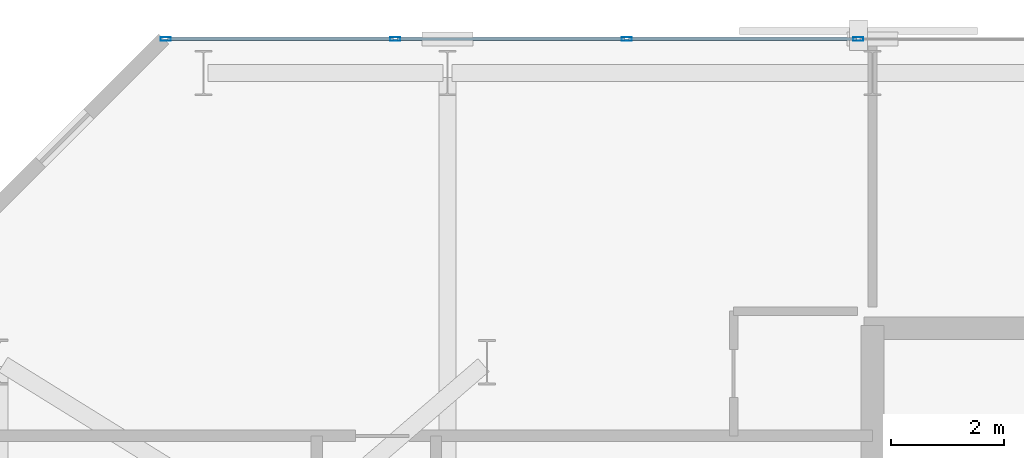
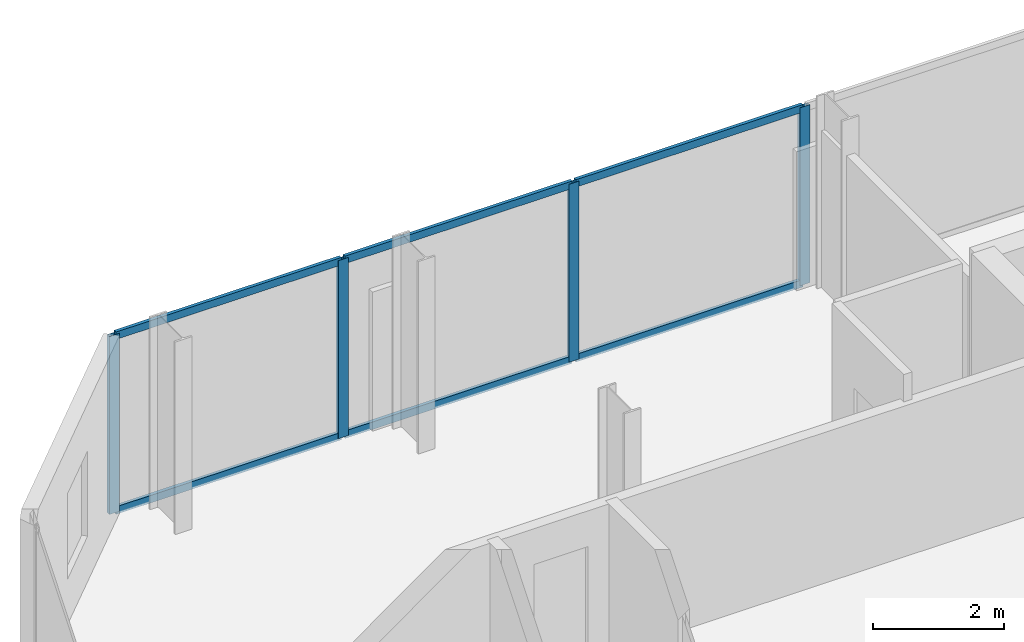
# One storey, part 22 of 33: 10 members, 1 element without a shape of its own.
"""IFC4 building model written with IfcOpenShell, lengths in metres."""

from ifc_helpers import new_model, si_unit, direction, frame, origin, origin_2d, place, context, subcontext, project, spatial, hollow_rectangle, extrude, material, layer, layer_set, material_profile, profile_set, type_object, element, aggregate, save


model = new_model("IFC4")

# Units and contexts
model_context = context("Model", 3, precision=1e-05, world=origin(), true_north=direction((0.0, 1.0)))
body_context = subcontext(model_context, "Body", "Model", "MODEL_VIEW")
ifc_project = project(units=[si_unit("LENGTHUNIT", "METRE"), si_unit("AREAUNIT", "SQUARE_METRE"), si_unit("VOLUMEUNIT", "CUBIC_METRE"), si_unit("PLANEANGLEUNIT", "RADIAN"), si_unit("MASSUNIT", "GRAM", prefix="KILO")], contexts=[model_context])

# Site, building, storey
site_placement = place(None, origin())
site = spatial("IfcSite", under=ifc_project, at=site_placement, CompositionType="ELEMENT")
building_placement = place(site_placement, origin())
building = spatial("IfcBuilding", under=site, at=building_placement, Name="Catumbela Crestline Tower", CompositionType="ELEMENT")
storey_placement = place(building_placement, frame((0.0, 0.0, 43.8)))
storey = spatial("IfcBuildingStorey", under=building, at=storey_placement, Name="L10", CompositionType="ELEMENT", Elevation=43.8)

# Curtain wall, members
ifc_material = material(Name="Aluminium alloy AW-6060-T66", Category="aluminium")
ifc_layer = layer(ifc_material, 0.18, Name="Aluminium alloy AW-6060-T66")
ifc_layer_set = layer_set([ifc_layer], Name="Aluminium alloy AW-6060-T66")
curtain_wall_type = type_object("IfcCurtainWallType", Name="CWU-Z1", PredefinedType="USERDEFINED", material=ifc_layer_set)
curtain_wall_placement = place(storey_placement, origin())
curtain_wall = element("IfcCurtainWall", 1, at=curtain_wall_placement, inside=storey, type_object=curtain_wall_type, Name="L10 Unitised Curtain Wall CW-L10-E7S1", ObjectType="UNITISED", PredefinedType="USERDEFINED")
ifc_material_profile_1 = material_profile(ifc_material, hollow_rectangle(XDim=0.065, YDim=0.18, WallThickness=0.004, at=origin_2d()), Name="ALU 180x65x4")
ifc_profile_set_1 = profile_set([ifc_material_profile_1], Name="Aluminium alloy AW-6060-T66")
member_type_1 = type_object("IfcMemberType", Name="MUL-180X65", PredefinedType="MULLION", material=ifc_profile_set_1)
member_1_placement = place(storey_placement, frame((15.75, 48.0, 0.0), z_axis=(0.0, 0.0, 1.0), x_axis=(0.0, -1.0, 0.0)))
member_1 = element("IfcMember", 2, at=member_1_placement, type_object=member_type_1, Name="CWU-Z1 mullion 10", PredefinedType="MULLION", context=body_context, shape_type="SweptSolid", body=[
    extrude(hollow_rectangle(XDim=0.065, YDim=0.18, WallThickness=0.004, at=origin_2d()), origin(), (0.0, 0.0, 1.0), 3.33),
])
member_2_placement = place(storey_placement, frame((11.6667, 48.0, 0.0), z_axis=(0.0, 0.0, 1.0), x_axis=(0.0, -1.0, 0.0)))
member_2 = element("IfcMember", 3, at=member_2_placement, type_object=member_type_1, Name="CWU-Z1 mullion 11", PredefinedType="MULLION", context=body_context, shape_type="SweptSolid", body=[
    extrude(hollow_rectangle(XDim=0.065, YDim=0.18, WallThickness=0.004, at=origin_2d()), origin(), (0.0, 0.0, 1.0), 3.33),
])
member_3_placement = place(storey_placement, frame((7.5833, 48.0, 0.0), z_axis=(0.0, 0.0, 1.0), x_axis=(0.0, -1.0, 0.0)))
member_3 = element("IfcMember", 4, at=member_3_placement, type_object=member_type_1, Name="CWU-Z1 mullion 12", PredefinedType="MULLION", context=body_context, shape_type="SweptSolid", body=[
    extrude(hollow_rectangle(XDim=0.065, YDim=0.18, WallThickness=0.004, at=origin_2d()), origin(), (0.0, 0.0, 1.0), 3.33),
])
member_4_placement = place(storey_placement, frame((3.5325, 48.0, 0.0), z_axis=(0.0, 0.0, 1.0), x_axis=(0.0, -1.0, 0.0)))
member_4 = element("IfcMember", 5, at=member_4_placement, type_object=member_type_1, Name="CWU-Z1 mullion 13", PredefinedType="MULLION", context=body_context, shape_type="SweptSolid", body=[
    extrude(hollow_rectangle(XDim=0.065, YDim=0.18, WallThickness=0.004, at=origin_2d()), origin(), (0.0, 0.0, 1.0), 3.33),
])
ifc_material_profile_2 = material_profile(ifc_material, hollow_rectangle(XDim=0.06, YDim=0.14, WallThickness=0.004, at=origin_2d()), Name="ALU 140x60x4")
ifc_profile_set_2 = profile_set([ifc_material_profile_2], Name="Aluminium alloy AW-6060-T66")
member_type_2 = type_object("IfcMemberType", Name="TRN-140X60", PredefinedType="USERDEFINED", material=ifc_profile_set_2)
member_5_placement = place(storey_placement, frame((15.7175, 48.0, 0.03), z_axis=(-1.0, 0.0, 0.0), x_axis=(0.0, -1.0, 0.0)))
member_5 = element("IfcMember", 6, at=member_5_placement, type_object=member_type_2, Name="CWU-Z1 transom 10.1", ObjectType="TRANSOM", PredefinedType="USERDEFINED", context=body_context, shape_type="SweptSolid", body=[
    extrude(hollow_rectangle(XDim=0.06, YDim=0.14, WallThickness=0.004, at=origin_2d()), origin(), (0.0, 0.0, 1.0), 4.0183),
])
member_6_placement = place(storey_placement, frame((15.7175, 48.0, 3.3), z_axis=(-1.0, 0.0, 0.0), x_axis=(0.0, -1.0, 0.0)))
member_6 = element("IfcMember", 7, at=member_6_placement, type_object=member_type_2, Name="CWU-Z1 transom 10.2", ObjectType="TRANSOM", PredefinedType="USERDEFINED", context=body_context, shape_type="SweptSolid", body=[
    extrude(hollow_rectangle(XDim=0.06, YDim=0.14, WallThickness=0.004, at=origin_2d()), origin(), (0.0, 0.0, 1.0), 4.0183),
])
member_7_placement = place(storey_placement, frame((11.6342, 48.0, 0.03), z_axis=(-1.0, 0.0, 0.0), x_axis=(0.0, -1.0, 0.0)))
member_7 = element("IfcMember", 8, at=member_7_placement, type_object=member_type_2, Name="CWU-Z1 transom 11.1", ObjectType="TRANSOM", PredefinedType="USERDEFINED", context=body_context, shape_type="SweptSolid", body=[
    extrude(hollow_rectangle(XDim=0.06, YDim=0.14, WallThickness=0.004, at=origin_2d()), origin(), (0.0, 0.0, 1.0), 4.0184),
])
member_8_placement = place(storey_placement, frame((11.6342, 48.0, 3.3), z_axis=(-1.0, 0.0, 0.0), x_axis=(0.0, -1.0, 0.0)))
member_8 = element("IfcMember", 9, at=member_8_placement, type_object=member_type_2, Name="CWU-Z1 transom 11.2", ObjectType="TRANSOM", PredefinedType="USERDEFINED", context=body_context, shape_type="SweptSolid", body=[
    extrude(hollow_rectangle(XDim=0.06, YDim=0.14, WallThickness=0.004, at=origin_2d()), origin(), (0.0, 0.0, 1.0), 4.0184),
])
member_9_placement = place(storey_placement, frame((7.5508, 48.0, 0.03), z_axis=(-1.0, 0.0, 0.0), x_axis=(0.0, -1.0, 0.0)))
member_9 = element("IfcMember", 10, at=member_9_placement, type_object=member_type_2, Name="CWU-Z1 transom 12.1", ObjectType="TRANSOM", PredefinedType="USERDEFINED", context=body_context, shape_type="SweptSolid", body=[
    extrude(hollow_rectangle(XDim=0.06, YDim=0.14, WallThickness=0.004, at=origin_2d()), origin(), (0.0, 0.0, 1.0), 3.9858),
])
member_10_placement = place(storey_placement, frame((7.5508, 48.0, 3.3), z_axis=(-1.0, 0.0, 0.0), x_axis=(0.0, -1.0, 0.0)))
member_10 = element("IfcMember", 11, at=member_10_placement, type_object=member_type_2, Name="CWU-Z1 transom 12.2", ObjectType="TRANSOM", PredefinedType="USERDEFINED", context=body_context, shape_type="SweptSolid", body=[
    extrude(hollow_rectangle(XDim=0.06, YDim=0.14, WallThickness=0.004, at=origin_2d()), origin(), (0.0, 0.0, 1.0), 3.9858),
])
aggregate(curtain_wall, [member_1, member_2, member_3, member_4, member_5, member_6, member_7, member_8, member_9, member_10])

save(model, "model.ifc")
